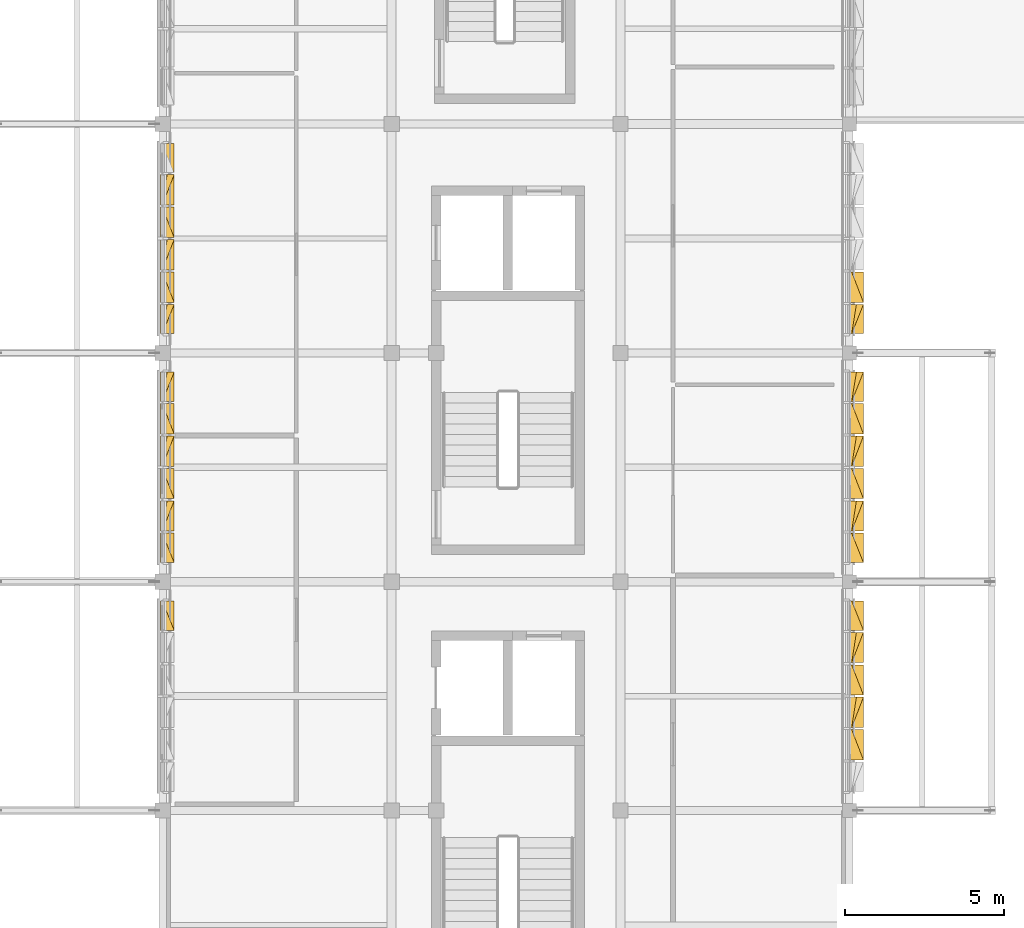
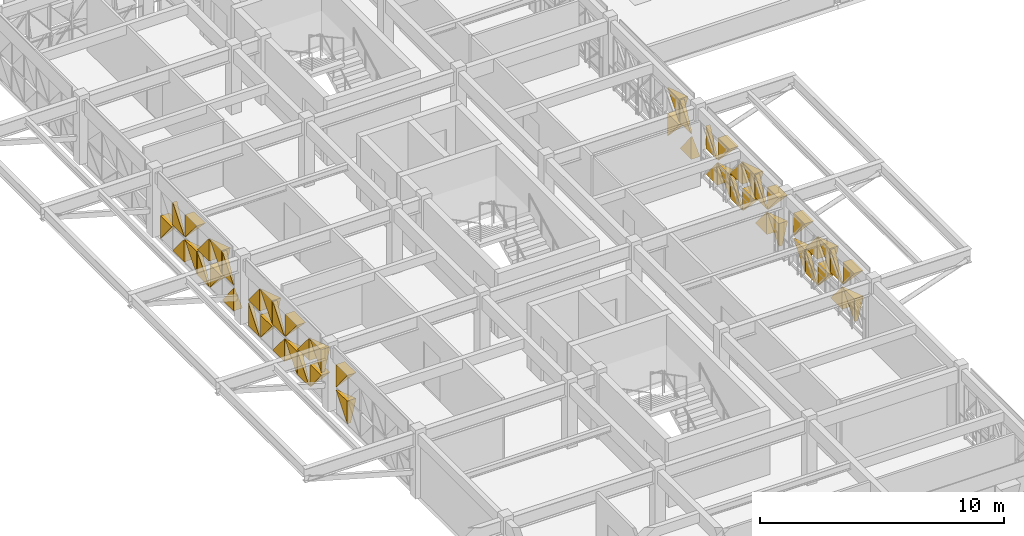
# One storey, part 28 of 30: 51 coverings.
"""IFC4 building model written with IfcOpenShell, lengths in metres."""

import ifcopenshell
import ifcopenshell.guid

model = None  # the IFC model being written
_history = None  # IfcOwnerHistory: only IFC2X3 demands one
_inside = {}  # id of a spatial element -> (the spatial element, [elements in it])
_under = {}  # id of a project, library or spatial element -> (it, [spatial elements below it])
_declared = {}  # id of a project -> (the project, [libraries it declares])
_typed = {}  # id of a type object -> (the type object, [elements of that type])
_made_of = {}  # id of a material, layer set ... -> (it, [elements and type objects made of it])


def new_model(schema):
    """Start an empty IFC model of exactly this schema.

    Asked for "IFC4X3", IfcOpenShell would pick the latest addendum, in which some entities
    have other attributes; the version numbers below select the first issue.
    IFC2X3 requires an IfcOwnerHistory on every rooted entity: one is made here for all.
    """
    global model, _history
    if schema == "IFC4X3":
        model = ifcopenshell.file(schema_version=(4, 3, 0, 0))
    else:
        model = ifcopenshell.file(schema=schema)
    _inside.clear()
    _under.clear()
    _declared.clear()
    _typed.clear()
    _made_of.clear()
    _history = None
    if model.schema == "IFC2X3":
        org = make("IfcOrganization", Name="unknown")
        user = make(
            "IfcPersonAndOrganization",
            ThePerson=make("IfcPerson", FamilyName="unknown"),
            TheOrganization=org,
        )
        app = make(
            "IfcApplication",
            ApplicationDeveloper=org,
            Version="unknown",
            ApplicationFullName="unknown",
            ApplicationIdentifier="unknown",
        )
        _history = make(
            "IfcOwnerHistory",
            OwningUser=user,
            OwningApplication=app,
            ChangeAction="ADDED",
            CreationDate=0,
        )
    return model


def make(cls, **values):
    """One entity of the class cls with the attributes given. An attribute that is None is left unset."""
    return model.create_entity(
        cls, **{name: value for name, value in values.items() if value is not None}
    )


def rooted(cls, **values):
    """An entity with a GlobalId (a new one), such as an element, a storey or a relation."""
    return make(cls, GlobalId=ifcopenshell.guid.new(), OwnerHistory=_history, **values)


def si_unit(unit_type, name, prefix=None):
    """IfcSIUnit, for example si_unit("LENGTHUNIT", "METRE", prefix="MILLI")."""
    return make("IfcSIUnit", UnitType=unit_type, Prefix=prefix, Name=name)


def assignment(units):
    """IfcUnitAssignment: the units of a project."""
    return None if units is None else make("IfcUnitAssignment", Units=units)


def point(xyz):
    """IfcCartesianPoint."""
    return None if xyz is None else make("IfcCartesianPoint", Coordinates=xyz)


def direction(xyz):
    """IfcDirection."""
    return None if xyz is None else make("IfcDirection", DirectionRatios=xyz)


def frame(location, z_axis=None, x_axis=None):
    """IfcAxis2Placement3D, a coordinate frame: its origin and axes. An axis left out is left unset."""
    return make(
        "IfcAxis2Placement3D",
        Location=point(location),
        Axis=direction(z_axis),
        RefDirection=direction(x_axis),
    )


def origin():
    """The frame at (0, 0, 0) with its axes left unset."""
    return frame((0.0, 0.0, 0.0))


def place(relative_to, where):
    """IfcLocalPlacement: puts the frame where relative to a parent placement (None: the world)."""
    return make(
        "IfcLocalPlacement", PlacementRelTo=relative_to, RelativePlacement=where
    )


def context(
    kind, dimensions, precision=None, world=None, true_north=None, identifier=None
):
    """IfcGeometricRepresentationContext, for example the 3D "Model" context."""
    return make(
        "IfcGeometricRepresentationContext",
        ContextIdentifier=identifier,
        ContextType=kind,
        CoordinateSpaceDimension=dimensions,
        Precision=precision,
        WorldCoordinateSystem=world,
        TrueNorth=true_north,
    )


def subcontext(parent, identifier, kind, view, scale=None):
    """IfcGeometricRepresentationSubContext, for example "Body" below "Model"."""
    return make(
        "IfcGeometricRepresentationSubContext",
        ContextIdentifier=identifier,
        ContextType=kind,
        ParentContext=parent,
        TargetScale=scale,
        TargetView=view,
    )


def project(units=None, contexts=None):
    """IfcProject with its units and contexts."""
    return rooted(
        "IfcProject",
        Name="project",
        RepresentationContexts=contexts,
        UnitsInContext=assignment(units),
    )


def spatial(cls, under=None, at=None, **own):
    """A site, building, storey or space (cls), placed at a placement, below another one or the project."""
    s = rooted(cls, ObjectPlacement=at, **own)
    if under is not None:
        _under.setdefault(under.id(), (under, []))[1].append(s)
    return s


def point_list(points):
    """IfcCartesianPointList2D or 3D."""
    cls = (
        "IfcCartesianPointList2D" if len(points[0]) == 2 else "IfcCartesianPointList3D"
    )
    return make(cls, CoordList=points)


def polygons(points, faces, closed=None, point_numbers=None):
    """IfcPolygonalFaceSet: a face is its outer loop, then its inner loops; points numbered from 1."""
    made = []
    for loops in faces:
        if len(loops) == 1:
            made.append(make("IfcIndexedPolygonalFace", CoordIndex=loops[0]))
        else:
            made.append(
                make(
                    "IfcIndexedPolygonalFaceWithVoids",
                    CoordIndex=loops[0],
                    InnerCoordIndices=loops[1:],
                )
            )
    return make(
        "IfcPolygonalFaceSet",
        Coordinates=point_list(points),
        Closed=closed,
        Faces=made,
        PnIndex=point_numbers,
    )


def shape(context_of_items, identifier, shape_type, items):
    """IfcShapeRepresentation: the items that make up one representation, for example the "Body"."""
    return make(
        "IfcShapeRepresentation",
        ContextOfItems=context_of_items,
        RepresentationIdentifier=identifier,
        RepresentationType=shape_type,
        Items=items,
    )


def material(Name=None, Category=None):
    """IfcMaterial."""
    return make("IfcMaterial", Name=Name, Category=Category)


def layer(
    of_material, thickness, ventilated=None, Name=None, Category=None, Priority=None
):
    """IfcMaterialLayer: one layer of a wall or slab, of a material (None: an air gap)."""
    return make(
        "IfcMaterialLayer",
        Material=of_material,
        LayerThickness=thickness,
        IsVentilated=ventilated,
        Name=Name,
        Category=Category,
        Priority=Priority,
    )


def layer_set(layers, Name=None):
    """IfcMaterialLayerSet."""
    return make("IfcMaterialLayerSet", MaterialLayers=layers, LayerSetName=Name)


def made_of(thing, what):
    """Note that an element or type object is made of a material, layer set ...; save() writes the relation."""
    if what is not None:
        _made_of.setdefault(what.id(), (what, []))[1].append(thing)
    return thing


def type_object(cls, material=None, **own):
    """A type object (cls), such as IfcWallType, which elements share."""
    return made_of(rooted(cls, **own), material)


def element(
    cls,
    number,
    at=None,
    inside=None,
    cuts=None,
    type_object=None,
    material=None,
    context=None,
    identifier="Body",
    shape_type=None,
    held_by="IfcProductDefinitionShape",
    body=None,
    shapes=None,
    **own,
):
    """One element of the class cls, such as IfcWall. Its Tag is "e" and its number.

    at: its placement. inside: the storey or other place that contains it. cuts: it is an
    opening in that element (IfcRelVoidsElement). A single representation is given by context,
    identifier, shape_type and body (its items); several are given by shapes. held_by: the class
    of the entity that holds the representations. save() writes the other relations.
    """
    e = rooted(cls, Tag="e%d" % number, ObjectPlacement=at, **own)
    if body is not None:
        shapes = [shape(context, identifier, shape_type, body)]
    if shapes is not None:
        e.Representation = make(held_by, Representations=shapes)
    if inside is not None:
        _inside.setdefault(inside.id(), (inside, []))[1].append(e)
    if cuts is not None:
        rooted(
            "IfcRelVoidsElement", RelatingBuildingElement=cuts, RelatedOpeningElement=e
        )
    if type_object is not None:
        _typed.setdefault(type_object.id(), (type_object, []))[1].append(e)
    return made_of(e, material)


def aggregate(whole, parts):
    """IfcRelAggregates: a whole, such as a stair, and the parts it consists of."""
    return rooted("IfcRelAggregates", RelatingObject=whole, RelatedObjects=parts)


def save(model, path):
    """Write the relations noted so far, then the file.

    IfcRelAggregates (storeys below a building ...), IfcRelContainedInSpatialStructure (elements
    in a storey), IfcRelDefinesByType, IfcRelAssociatesMaterial and IfcRelDeclares: one each for
    every whole, place, type object, material and project.
    """
    for whole, parts in _under.values():
        aggregate(whole, parts)
    for where, things in _inside.values():
        rooted(
            "IfcRelContainedInSpatialStructure",
            RelatedElements=things,
            RelatingStructure=where,
        )
    for kind, things in _typed.values():
        rooted("IfcRelDefinesByType", RelatedObjects=things, RelatingType=kind)
    for what, things in _made_of.values():
        rooted("IfcRelAssociatesMaterial", RelatedObjects=things, RelatingMaterial=what)
    for by, libraries in _declared.values():
        rooted("IfcRelDeclares", RelatingContext=by, RelatedDefinitions=libraries)
    model.write(path)


model = new_model("IFC4")

# Units and contexts
model_context = context("Model", 3, precision=1e-05, world=origin(), true_north=direction((0.0, 1.0)))
body_context = subcontext(model_context, "Body", "Model", "MODEL_VIEW")
ifc_project = project(units=[si_unit("LENGTHUNIT", "METRE"), si_unit("AREAUNIT", "SQUARE_METRE"), si_unit("VOLUMEUNIT", "CUBIC_METRE"), si_unit("PLANEANGLEUNIT", "RADIAN"), si_unit("MASSUNIT", "GRAM", prefix="KILO")], contexts=[model_context])

# Site, building, storey
site_placement = place(None, origin())
site = spatial("IfcSite", under=ifc_project, at=site_placement, CompositionType="ELEMENT")
building_placement = place(site_placement, origin())
building = spatial("IfcBuilding", under=site, at=building_placement, Name="Alvorim Cloister Faculty of Sciences", CompositionType="ELEMENT")
storey_placement = place(building_placement, frame((0.0, 0.0, 26.25)))
storey = spatial("IfcBuildingStorey", under=building, at=storey_placement, Name="L07", CompositionType="ELEMENT", Elevation=26.25)

# Coverings
ifc_material = material(Name="Perforated Bronze Alloy Sheet", Category="metal")
ifc_layer = layer(ifc_material, 0.0380859375)
ifc_layer_set = layer_set([ifc_layer], Name="Perforated Bronze Alloy Sheet")
covering_type = type_object("IfcCoveringType", Name="COV-TRI-BRZ", PredefinedType="CLADDING", material=ifc_layer_set)
covering_1_placement = place(storey_placement, frame((7.155029296875, 27.2724609375, 0.139892578125), z_axis=(0.0, 0.0, 1.0), x_axis=(0.0, 1.0, 0.0)))
element("IfcCovering", 1, at=covering_1_placement, inside=storey, type_object=covering_type, Name="Diagonal Solid Metal Triangle TRI-TL", PredefinedType="CLADDING", context=body_context, shape_type="Tessellation", body=[
    polygons([(0.920607421875, 0.0260009765625, 1.14013671875), (0.0, 0.0260009765625, 1.14013671875), (0.0, 0.0260009765625, 0.002), (0.920607421875, -0.03, 1.14013671875), (0.0, -0.4, 1.14013671875), (0.0, -0.13999999999999999, 0.002)], [[[1, 3, 2]], [[4, 5, 6]], [[1, 2, 5, 4]], [[2, 3, 6, 5]], [[3, 1, 4, 6]]], closed=True),
])
for number, where, z_axis, x_axis, name in (
    (2, (7.155029296875, 27.2724609375, 1.419921875), (0.0, 0.0, 1.0), (0.0, 1.0, 0.0), "Diagonal Solid Metal Triangle TRI-TR"),
    (3, (7.155029296875, 29.405029296875, 0.139892578125), (0.0, 0.0, 1.0), (0.0, 1.0, 0.0), "Diagonal Solid Metal Triangle TRI-TR"),
):
    element("IfcCovering", number, at=place(storey_placement, frame(where, z_axis=z_axis, x_axis=x_axis)), inside=storey, type_object=covering_type, Name=name, PredefinedType="CLADDING", context=body_context, shape_type="Tessellation", body=[
        polygons([(0.922607421875, 0.0260009765625, 0.002), (0.922607421875, 0.0260009765625, 1.14013671875), (0.002, 0.0260009765625, 1.14013671875), (0.922607421875, -0.03, 0.002), (0.922607421875, -0.4, 1.14013671875), (0.002, -0.4, 1.14013671875)], [[[1, 3, 2]], [[4, 5, 6]], [[1, 2, 5, 4]], [[2, 3, 6, 5]], [[3, 1, 4, 6]]], closed=True),
    ])
covering_2_placement = place(storey_placement, frame((7.155029296875, 29.405029296875, 1.419921875), z_axis=(0.0, 0.0, 1.0), x_axis=(0.0, 1.0, 0.0)))
element("IfcCovering", 4, at=covering_2_placement, inside=storey, type_object=covering_type, Name="Diagonal Solid Metal Triangle TRI-TL", PredefinedType="CLADDING", context=body_context, shape_type="Tessellation", body=[
    polygons([(0.920607421875, 0.0260009765625, 1.14013671875), (0.0, 0.0260009765625, 1.14013671875), (0.0, 0.0260009765625, 0.002), (0.920607421875, -0.03, 1.14013671875), (0.0, -0.4, 1.14013671875), (0.0, -0.13999999999999999, 0.002)], [[[1, 3, 2]], [[4, 5, 6]], [[1, 2, 5, 4]], [[2, 3, 6, 5]], [[3, 1, 4, 6]]], closed=True),
])
covering_3_placement = place(storey_placement, frame((7.155029296875, 30.392578125, 0.139892578125), z_axis=(0.0, 0.0, 1.0), x_axis=(0.0, 1.0, 0.0)))
element("IfcCovering", 5, at=covering_3_placement, inside=storey, type_object=covering_type, Name="Diagonal Solid Metal Triangle TRI-BR", PredefinedType="CLADDING", context=body_context, shape_type="Tessellation", body=[
    polygons([(0.002, 0.0260009765625, 0.0), (0.955078125, 0.0260009765625, 0.0), (0.955078125, 0.0260009765625, 1.13813671875), (0.002, -0.03, 0.0), (0.955078125, -0.4, 0.0), (0.955078125, -0.18000000000000002, 1.13813671875)], [[[1, 3, 2]], [[4, 5, 6]], [[1, 2, 5, 4]], [[2, 3, 6, 5]], [[3, 1, 4, 6]]], closed=True),
])
covering_4_placement = place(storey_placement, frame((7.155029296875, 30.392578125, 1.419921875), z_axis=(0.0, 0.0, 1.0), x_axis=(0.0, 1.0, 0.0)))
element("IfcCovering", 6, at=covering_4_placement, inside=storey, type_object=covering_type, Name="Diagonal Solid Metal Triangle TRI-BL", PredefinedType="CLADDING", context=body_context, shape_type="Tessellation", body=[
    polygons([(0.0, 0.0260009765625, 0.0), (0.953078125, 0.0260009765625, 0.0), (0.0, 0.0260009765625, 1.13813671875), (0.0, -0.4, 0.0), (0.953078125, -0.4, 0.0), (0.0, -0.03, 1.13813671875)], [[[1, 3, 2]], [[4, 5, 6]], [[1, 2, 5, 4]], [[2, 3, 6, 5]], [[3, 1, 4, 6]]], closed=True),
])
covering_5_placement = place(storey_placement, frame((7.155029296875, 31.41259765625, 0.139892578125), z_axis=(0.0, 0.0, 1.0), x_axis=(0.0, 1.0, 0.0)))
element("IfcCovering", 7, at=covering_5_placement, inside=storey, type_object=covering_type, Name="Diagonal Solid Metal Triangle TRI-TL", PredefinedType="CLADDING", context=body_context, shape_type="Tessellation", body=[
    polygons([(0.953078125, 0.0260009765625, 1.14013671875), (0.0, 0.0260009765625, 1.14013671875), (0.0, 0.0260009765625, 0.002), (0.953078125, -0.03, 1.14013671875), (0.0, -0.4, 1.14013671875), (0.0, -0.13999999999999999, 0.002)], [[[1, 3, 2]], [[4, 5, 6]], [[1, 2, 5, 4]], [[2, 3, 6, 5]], [[3, 1, 4, 6]]], closed=True),
])
covering_6_placement = place(storey_placement, frame((7.155029296875, 31.41259765625, 1.419921875), z_axis=(0.0, 0.0, 1.0), x_axis=(0.0, 1.0, 0.0)))
element("IfcCovering", 8, at=covering_6_placement, inside=storey, type_object=covering_type, Name="Diagonal Solid Metal Triangle TRI-TR", PredefinedType="CLADDING", context=body_context, shape_type="Tessellation", body=[
    polygons([(0.955078125, 0.0260009765625, 0.002), (0.955078125, 0.0260009765625, 1.14013671875), (0.002, 0.0260009765625, 1.14013671875), (0.955078125, -0.03, 0.002), (0.955078125, -0.4, 1.14013671875), (0.002, -0.4, 1.14013671875)], [[[1, 3, 2]], [[4, 5, 6]], [[1, 2, 5, 4]], [[2, 3, 6, 5]], [[3, 1, 4, 6]]], closed=True),
])
covering_7_placement = place(storey_placement, frame((7.155029296875, 32.4326171875, 0.139892578125), z_axis=(0.0, 0.0, 1.0), x_axis=(0.0, 1.0, 0.0)))
element("IfcCovering", 9, at=covering_7_placement, inside=storey, type_object=covering_type, Name="Diagonal Solid Metal Triangle TRI-BL", PredefinedType="CLADDING", context=body_context, shape_type="Tessellation", body=[
    polygons([(0.0, 0.0260009765625, 0.0), (0.953078125, 0.0260009765625, 0.0), (0.0, 0.0260009765625, 1.13813671875), (0.0, -0.4, 0.0), (0.953078125, -0.4, 0.0), (0.0, -0.03, 1.13813671875)], [[[1, 3, 2]], [[4, 5, 6]], [[1, 2, 5, 4]], [[2, 3, 6, 5]], [[3, 1, 4, 6]]], closed=True),
])
covering_8_placement = place(storey_placement, frame((7.155029296875, 32.4326171875, 1.419921875), z_axis=(0.0, 0.0, 1.0), x_axis=(0.0, 1.0, 0.0)))
element("IfcCovering", 10, at=covering_8_placement, inside=storey, type_object=covering_type, Name="Diagonal Solid Metal Triangle TRI-BR", PredefinedType="CLADDING", context=body_context, shape_type="Tessellation", body=[
    polygons([(0.002, 0.0260009765625, 0.0), (0.955078125, 0.0260009765625, 0.0), (0.955078125, 0.0260009765625, 1.13813671875), (0.002, -0.03, 0.0), (0.955078125, -0.4, 0.0), (0.955078125, -0.18000000000000002, 1.13813671875)], [[[1, 3, 2]], [[4, 5, 6]], [[1, 2, 5, 4]], [[2, 3, 6, 5]], [[3, 1, 4, 6]]], closed=True),
])
covering_9_placement = place(storey_placement, frame((7.155029296875, 33.452392578125, 0.139892578125), z_axis=(0.0, 0.0, 1.0), x_axis=(0.0, 1.0, 0.0)))
element("IfcCovering", 11, at=covering_9_placement, inside=storey, type_object=covering_type, Name="Diagonal Solid Metal Triangle TRI-TR", PredefinedType="CLADDING", context=body_context, shape_type="Tessellation", body=[
    polygons([(0.955078125, 0.0260009765625, 0.002), (0.955078125, 0.0260009765625, 1.14013671875), (0.002, 0.0260009765625, 1.14013671875), (0.955078125, -0.03, 0.002), (0.955078125, -0.4, 1.14013671875), (0.002, -0.4, 1.14013671875)], [[[1, 3, 2]], [[4, 5, 6]], [[1, 2, 5, 4]], [[2, 3, 6, 5]], [[3, 1, 4, 6]]], closed=True),
])
covering_10_placement = place(storey_placement, frame((7.155029296875, 33.452392578125, 1.419921875), z_axis=(0.0, 0.0, 1.0), x_axis=(0.0, 1.0, 0.0)))
element("IfcCovering", 12, at=covering_10_placement, inside=storey, type_object=covering_type, Name="Diagonal Solid Metal Triangle TRI-TL", PredefinedType="CLADDING", context=body_context, shape_type="Tessellation", body=[
    polygons([(0.953078125, 0.0260009765625, 1.14013671875), (0.0, 0.0260009765625, 1.14013671875), (0.0, 0.0260009765625, 0.002), (0.953078125, -0.03, 1.14013671875), (0.0, -0.4, 1.14013671875), (0.0, -0.13999999999999999, 0.002)], [[[1, 3, 2]], [[4, 5, 6]], [[1, 2, 5, 4]], [[2, 3, 6, 5]], [[3, 1, 4, 6]]], closed=True),
])
covering_11_placement = place(storey_placement, frame((7.155029296875, 34.472412109375, 0.139892578125), z_axis=(0.0, 0.0, 1.0), x_axis=(0.0, 1.0, 0.0)))
element("IfcCovering", 13, at=covering_11_placement, inside=storey, type_object=covering_type, Name="Diagonal Solid Metal Triangle TRI-BR", PredefinedType="CLADDING", context=body_context, shape_type="Tessellation", body=[
    polygons([(0.002, 0.0260009765625, 0.0), (0.922607421875, 0.0260009765625, 0.0), (0.922607421875, 0.0260009765625, 1.13813671875), (0.002, -0.03, 0.0), (0.922607421875, -0.4, 0.0), (0.922607421875, -0.18000000000000002, 1.13813671875)], [[[1, 3, 2]], [[4, 5, 6]], [[1, 2, 5, 4]], [[2, 3, 6, 5]], [[3, 1, 4, 6]]], closed=True),
])
for number, where, z_axis, x_axis, name in (
    (14, (7.155029296875, 34.472412109375, 1.419921875), (0.0, 0.0, 1.0), (0.0, 1.0, 0.0), "Diagonal Solid Metal Triangle TRI-BL"),
    (15, (7.155029296875, 36.60498046875, 0.139892578125), (0.0, 0.0, 1.0), (0.0, 1.0, 0.0), "Diagonal Solid Metal Triangle TRI-BL"),
):
    element("IfcCovering", number, at=place(storey_placement, frame(where, z_axis=z_axis, x_axis=x_axis)), inside=storey, type_object=covering_type, Name=name, PredefinedType="CLADDING", context=body_context, shape_type="Tessellation", body=[
        polygons([(0.0, 0.0260009765625, 0.0), (0.920607421875, 0.0260009765625, 0.0), (0.0, 0.0260009765625, 1.13813671875), (0.0, -0.4, 0.0), (0.920607421875, -0.4, 0.0), (0.0, -0.03, 1.13813671875)], [[[1, 3, 2]], [[4, 5, 6]], [[1, 2, 5, 4]], [[2, 3, 6, 5]], [[3, 1, 4, 6]]], closed=True),
    ])
covering_12_placement = place(storey_placement, frame((7.155029296875, 36.60498046875, 1.419921875), z_axis=(0.0, 0.0, 1.0), x_axis=(0.0, 1.0, 0.0)))
element("IfcCovering", 16, at=covering_12_placement, inside=storey, type_object=covering_type, Name="Diagonal Solid Metal Triangle TRI-BR", PredefinedType="CLADDING", context=body_context, shape_type="Tessellation", body=[
    polygons([(0.002, 0.0260009765625, 0.0), (0.922607421875, 0.0260009765625, 0.0), (0.922607421875, 0.0260009765625, 1.13813671875), (0.002, -0.03, 0.0), (0.922607421875, -0.4, 0.0), (0.922607421875, -0.18000000000000002, 1.13813671875)], [[[1, 3, 2]], [[4, 5, 6]], [[1, 2, 5, 4]], [[2, 3, 6, 5]], [[3, 1, 4, 6]]], closed=True),
])
covering_13_placement = place(storey_placement, frame((7.155029296875, 37.592529296875, 0.139892578125), z_axis=(0.0, 0.0, 1.0), x_axis=(0.0, 1.0, 0.0)))
element("IfcCovering", 17, at=covering_13_placement, inside=storey, type_object=covering_type, Name="Diagonal Solid Metal Triangle TRI-TR", PredefinedType="CLADDING", context=body_context, shape_type="Tessellation", body=[
    polygons([(0.955078125, 0.0260009765625, 0.002), (0.955078125, 0.0260009765625, 1.14013671875), (0.002, 0.0260009765625, 1.14013671875), (0.955078125, -0.03, 0.002), (0.955078125, -0.4, 1.14013671875), (0.002, -0.4, 1.14013671875)], [[[1, 3, 2]], [[4, 5, 6]], [[1, 2, 5, 4]], [[2, 3, 6, 5]], [[3, 1, 4, 6]]], closed=True),
])
covering_14_placement = place(storey_placement, frame((7.155029296875, 37.592529296875, 1.419921875), z_axis=(0.0, 0.0, 1.0), x_axis=(0.0, 1.0, 0.0)))
element("IfcCovering", 18, at=covering_14_placement, inside=storey, type_object=covering_type, Name="Diagonal Solid Metal Triangle TRI-TL", PredefinedType="CLADDING", context=body_context, shape_type="Tessellation", body=[
    polygons([(0.953078125, 0.0260009765625, 1.14013671875), (0.0, 0.0260009765625, 1.14013671875), (0.0, 0.0260009765625, 0.002), (0.953078125, -0.03, 1.14013671875), (0.0, -0.4, 1.14013671875), (0.0, -0.13999999999999999, 0.002)], [[[1, 3, 2]], [[4, 5, 6]], [[1, 2, 5, 4]], [[2, 3, 6, 5]], [[3, 1, 4, 6]]], closed=True),
])
covering_15_placement = place(storey_placement, frame((7.155029296875, 38.612548828125, 0.139892578125), z_axis=(0.0, 0.0, 1.0), x_axis=(0.0, 1.0, 0.0)))
element("IfcCovering", 19, at=covering_15_placement, inside=storey, type_object=covering_type, Name="Diagonal Solid Metal Triangle TRI-BR", PredefinedType="CLADDING", context=body_context, shape_type="Tessellation", body=[
    polygons([(0.002, 0.0260009765625, 0.0), (0.955078125, 0.0260009765625, 0.0), (0.955078125, 0.0260009765625, 1.13813671875), (0.002, -0.03, 0.0), (0.955078125, -0.4, 0.0), (0.955078125, -0.18000000000000002, 1.13813671875)], [[[1, 3, 2]], [[4, 5, 6]], [[1, 2, 5, 4]], [[2, 3, 6, 5]], [[3, 1, 4, 6]]], closed=True),
])
covering_16_placement = place(storey_placement, frame((7.155029296875, 38.612548828125, 1.419921875), z_axis=(0.0, 0.0, 1.0), x_axis=(0.0, 1.0, 0.0)))
element("IfcCovering", 20, at=covering_16_placement, inside=storey, type_object=covering_type, Name="Diagonal Solid Metal Triangle TRI-BL", PredefinedType="CLADDING", context=body_context, shape_type="Tessellation", body=[
    polygons([(0.0, 0.0260009765625, 0.0), (0.953078125, 0.0260009765625, 0.0), (0.0, 0.0260009765625, 1.13813671875), (0.0, -0.4, 0.0), (0.953078125, -0.4, 0.0), (0.0, -0.03, 1.13813671875)], [[[1, 3, 2]], [[4, 5, 6]], [[1, 2, 5, 4]], [[2, 3, 6, 5]], [[3, 1, 4, 6]]], closed=True),
])
covering_17_placement = place(storey_placement, frame((7.155029296875, 39.632568359375, 0.139892578125), z_axis=(0.0, 0.0, 1.0), x_axis=(0.0, 1.0, 0.0)))
element("IfcCovering", 21, at=covering_17_placement, inside=storey, type_object=covering_type, Name="Diagonal Solid Metal Triangle TRI-TL", PredefinedType="CLADDING", context=body_context, shape_type="Tessellation", body=[
    polygons([(0.953078125, 0.0260009765625, 1.14013671875), (0.0, 0.0260009765625, 1.14013671875), (0.0, 0.0260009765625, 0.002), (0.953078125, -0.03, 1.14013671875), (0.0, -0.4, 1.14013671875), (0.0, -0.13999999999999999, 0.002)], [[[1, 3, 2]], [[4, 5, 6]], [[1, 2, 5, 4]], [[2, 3, 6, 5]], [[3, 1, 4, 6]]], closed=True),
])
covering_18_placement = place(storey_placement, frame((7.155029296875, 39.632568359375, 1.419921875), z_axis=(0.0, 0.0, 1.0), x_axis=(0.0, 1.0, 0.0)))
element("IfcCovering", 22, at=covering_18_placement, inside=storey, type_object=covering_type, Name="Diagonal Solid Metal Triangle TRI-TR", PredefinedType="CLADDING", context=body_context, shape_type="Tessellation", body=[
    polygons([(0.955078125, 0.0260009765625, 0.002), (0.955078125, 0.0260009765625, 1.14013671875), (0.002, 0.0260009765625, 1.14013671875), (0.955078125, -0.03, 0.002), (0.955078125, -0.4, 1.14013671875), (0.002, -0.4, 1.14013671875)], [[[1, 3, 2]], [[4, 5, 6]], [[1, 2, 5, 4]], [[2, 3, 6, 5]], [[3, 1, 4, 6]]], closed=True),
])
covering_19_placement = place(storey_placement, frame((7.155029296875, 40.652587890625, 0.139892578125), z_axis=(0.0, 0.0, 1.0), x_axis=(0.0, 1.0, 0.0)))
element("IfcCovering", 23, at=covering_19_placement, inside=storey, type_object=covering_type, Name="Diagonal Solid Metal Triangle TRI-BL", PredefinedType="CLADDING", context=body_context, shape_type="Tessellation", body=[
    polygons([(0.0, 0.0260009765625, 0.0), (0.953078125, 0.0260009765625, 0.0), (0.0, 0.0260009765625, 1.13813671875), (0.0, -0.4, 0.0), (0.953078125, -0.4, 0.0), (0.0, -0.03, 1.13813671875)], [[[1, 3, 2]], [[4, 5, 6]], [[1, 2, 5, 4]], [[2, 3, 6, 5]], [[3, 1, 4, 6]]], closed=True),
])
covering_20_placement = place(storey_placement, frame((7.155029296875, 40.652587890625, 1.419921875), z_axis=(0.0, 0.0, 1.0), x_axis=(0.0, 1.0, 0.0)))
element("IfcCovering", 24, at=covering_20_placement, inside=storey, type_object=covering_type, Name="Diagonal Solid Metal Triangle TRI-BR", PredefinedType="CLADDING", context=body_context, shape_type="Tessellation", body=[
    polygons([(0.002, 0.0260009765625, 0.0), (0.955078125, 0.0260009765625, 0.0), (0.955078125, 0.0260009765625, 1.13813671875), (0.002, -0.03, 0.0), (0.955078125, -0.4, 0.0), (0.955078125, -0.18000000000000002, 1.13813671875)], [[[1, 3, 2]], [[4, 5, 6]], [[1, 2, 5, 4]], [[2, 3, 6, 5]], [[3, 1, 4, 6]]], closed=True),
])
covering_21_placement = place(storey_placement, frame((7.155029296875, 41.672607421875, 0.139892578125), z_axis=(0.0, 0.0, 1.0), x_axis=(0.0, 1.0, 0.0)))
element("IfcCovering", 25, at=covering_21_placement, inside=storey, type_object=covering_type, Name="Diagonal Solid Metal Triangle TRI-TR", PredefinedType="CLADDING", context=body_context, shape_type="Tessellation", body=[
    polygons([(0.922607421875, 0.0260009765625, 0.002), (0.922607421875, 0.0260009765625, 1.14013671875), (0.002, 0.0260009765625, 1.14013671875), (0.922607421875, -0.03, 0.002), (0.922607421875, -0.4, 1.14013671875), (0.002, -0.4, 1.14013671875)], [[[1, 3, 2]], [[4, 5, 6]], [[1, 2, 5, 4]], [[2, 3, 6, 5]], [[3, 1, 4, 6]]], closed=True),
])
covering_22_placement = place(storey_placement, frame((28.844970703125, 36.60498046875, 0.139892578125), z_axis=(0.0, 0.0, 1.0), x_axis=(0.0, 1.0, 0.0)))
element("IfcCovering", 26, at=covering_22_placement, inside=storey, type_object=covering_type, Name="Diagonal Solid Metal Triangle TRI-BL", PredefinedType="CLADDING", context=body_context, shape_type="Tessellation", body=[
    polygons([(0.0, 0.0260009765625, 0.0), (0.920607421875, 0.0260009765625, 0.0), (0.0, 0.0260009765625, 1.13813671875), (0.0, -0.4, 0.0), (0.920607421875, -0.4, 0.0), (0.0, -0.03, 1.13813671875)], [[[1, 3, 2]], [[4, 5, 6]], [[1, 2, 5, 4]], [[2, 3, 6, 5]], [[3, 1, 4, 6]]], closed=True),
])
covering_23_placement = place(storey_placement, frame((28.844970703125, 36.60498046875, 1.419921875), z_axis=(0.0, 0.0, 1.0), x_axis=(0.0, 1.0, 0.0)))
element("IfcCovering", 27, at=covering_23_placement, inside=storey, type_object=covering_type, Name="Diagonal Solid Metal Triangle TRI-BR", PredefinedType="CLADDING", context=body_context, shape_type="Tessellation", body=[
    polygons([(0.002, 0.0260009765625, 0.0), (0.922607421875, 0.0260009765625, 0.0), (0.922607421875, 0.0260009765625, 1.13813671875), (0.002, -0.03, 0.0), (0.922607421875, -0.4, 0.0), (0.922607421875, -0.18000000000000002, 1.13813671875)], [[[1, 3, 2]], [[4, 5, 6]], [[1, 2, 5, 4]], [[2, 3, 6, 5]], [[3, 1, 4, 6]]], closed=True),
])
covering_24_placement = place(storey_placement, frame((28.844970703125, 37.592529296875, 0.139892578125), z_axis=(0.0, 0.0, 1.0), x_axis=(0.0, 1.0, 0.0)))
element("IfcCovering", 28, at=covering_24_placement, inside=storey, type_object=covering_type, Name="Diagonal Solid Metal Triangle TRI-TR", PredefinedType="CLADDING", context=body_context, shape_type="Tessellation", body=[
    polygons([(0.955078125, 0.0260009765625, 0.002), (0.955078125, 0.0260009765625, 1.14013671875), (0.002, 0.0260009765625, 1.14013671875), (0.955078125, -0.03, 0.002), (0.955078125, -0.4, 1.14013671875), (0.002, -0.4, 1.14013671875)], [[[1, 3, 2]], [[4, 5, 6]], [[1, 2, 5, 4]], [[2, 3, 6, 5]], [[3, 1, 4, 6]]], closed=True),
])
covering_25_placement = place(storey_placement, frame((28.844970703125, 37.592529296875, 1.419921875), z_axis=(0.0, 0.0, 1.0), x_axis=(0.0, 1.0, 0.0)))
element("IfcCovering", 29, at=covering_25_placement, inside=storey, type_object=covering_type, Name="Diagonal Solid Metal Triangle TRI-TL", PredefinedType="CLADDING", context=body_context, shape_type="Tessellation", body=[
    polygons([(0.953078125, 0.0260009765625, 1.14013671875), (0.0, 0.0260009765625, 1.14013671875), (0.0, 0.0260009765625, 0.002), (0.953078125, -0.03, 1.14013671875), (0.0, -0.4, 1.14013671875), (0.0, -0.13999999999999999, 0.002)], [[[1, 3, 2]], [[4, 5, 6]], [[1, 2, 5, 4]], [[2, 3, 6, 5]], [[3, 1, 4, 6]]], closed=True),
])
covering_26_placement = place(storey_placement, frame((28.844970703125, 29.405029296875, 0.139892578125), z_axis=(0.0, 0.0, 1.0), x_axis=(0.0, 1.0, 0.0)))
element("IfcCovering", 30, at=covering_26_placement, inside=storey, type_object=covering_type, Name="Diagonal Solid Metal Triangle TRI-TL", PredefinedType="CLADDING", context=body_context, shape_type="Tessellation", body=[
    polygons([(0.920607421875, 0.0260009765625, 1.14013671875), (0.0, 0.0260009765625, 1.14013671875), (0.0, 0.0260009765625, 0.002), (0.920607421875, -0.03, 1.14013671875), (0.0, -0.4, 1.14013671875), (0.0, -0.13999999999999999, 0.002)], [[[1, 3, 2]], [[4, 5, 6]], [[1, 2, 5, 4]], [[2, 3, 6, 5]], [[3, 1, 4, 6]]], closed=True),
])
covering_27_placement = place(storey_placement, frame((28.844970703125, 29.405029296875, 1.419921875), z_axis=(0.0, 0.0, 1.0), x_axis=(0.0, 1.0, 0.0)))
element("IfcCovering", 31, at=covering_27_placement, inside=storey, type_object=covering_type, Name="Diagonal Solid Metal Triangle TRI-TR", PredefinedType="CLADDING", context=body_context, shape_type="Tessellation", body=[
    polygons([(0.922607421875, 0.0260009765625, 0.002), (0.922607421875, 0.0260009765625, 1.14013671875), (0.002, 0.0260009765625, 1.14013671875), (0.922607421875, -0.03, 0.002), (0.922607421875, -0.4, 1.14013671875), (0.002, -0.4, 1.14013671875)], [[[1, 3, 2]], [[4, 5, 6]], [[1, 2, 5, 4]], [[2, 3, 6, 5]], [[3, 1, 4, 6]]], closed=True),
])
covering_28_placement = place(storey_placement, frame((28.844970703125, 30.392578125, 0.139892578125), z_axis=(0.0, 0.0, 1.0), x_axis=(0.0, 1.0, 0.0)))
element("IfcCovering", 32, at=covering_28_placement, inside=storey, type_object=covering_type, Name="Diagonal Solid Metal Triangle TRI-BL", PredefinedType="CLADDING", context=body_context, shape_type="Tessellation", body=[
    polygons([(0.0, 0.0260009765625, 0.0), (0.953078125, 0.0260009765625, 0.0), (0.0, 0.0260009765625, 1.13813671875), (0.0, -0.4, 0.0), (0.953078125, -0.4, 0.0), (0.0, -0.03, 1.13813671875)], [[[1, 3, 2]], [[4, 5, 6]], [[1, 2, 5, 4]], [[2, 3, 6, 5]], [[3, 1, 4, 6]]], closed=True),
])
covering_29_placement = place(storey_placement, frame((28.844970703125, 30.392578125, 1.419921875), z_axis=(0.0, 0.0, 1.0), x_axis=(0.0, 1.0, 0.0)))
element("IfcCovering", 33, at=covering_29_placement, inside=storey, type_object=covering_type, Name="Diagonal Solid Metal Triangle TRI-BR", PredefinedType="CLADDING", context=body_context, shape_type="Tessellation", body=[
    polygons([(0.002, 0.0260009765625, 0.0), (0.955078125, 0.0260009765625, 0.0), (0.955078125, 0.0260009765625, 1.13813671875), (0.002, -0.03, 0.0), (0.955078125, -0.4, 0.0), (0.955078125, -0.18000000000000002, 1.13813671875)], [[[1, 3, 2]], [[4, 5, 6]], [[1, 2, 5, 4]], [[2, 3, 6, 5]], [[3, 1, 4, 6]]], closed=True),
])
covering_30_placement = place(storey_placement, frame((28.844970703125, 31.41259765625, 0.139892578125), z_axis=(0.0, 0.0, 1.0), x_axis=(0.0, 1.0, 0.0)))
element("IfcCovering", 34, at=covering_30_placement, inside=storey, type_object=covering_type, Name="Diagonal Solid Metal Triangle TRI-TR", PredefinedType="CLADDING", context=body_context, shape_type="Tessellation", body=[
    polygons([(0.955078125, 0.0260009765625, 0.002), (0.955078125, 0.0260009765625, 1.14013671875), (0.002, 0.0260009765625, 1.14013671875), (0.955078125, -0.03, 0.002), (0.955078125, -0.4, 1.14013671875), (0.002, -0.4, 1.14013671875)], [[[1, 3, 2]], [[4, 5, 6]], [[1, 2, 5, 4]], [[2, 3, 6, 5]], [[3, 1, 4, 6]]], closed=True),
])
covering_31_placement = place(storey_placement, frame((28.844970703125, 31.41259765625, 1.419921875), z_axis=(0.0, 0.0, 1.0), x_axis=(0.0, 1.0, 0.0)))
element("IfcCovering", 35, at=covering_31_placement, inside=storey, type_object=covering_type, Name="Diagonal Solid Metal Triangle TRI-TL", PredefinedType="CLADDING", context=body_context, shape_type="Tessellation", body=[
    polygons([(0.953078125, 0.0260009765625, 1.14013671875), (0.0, 0.0260009765625, 1.14013671875), (0.0, 0.0260009765625, 0.002), (0.953078125, -0.03, 1.14013671875), (0.0, -0.4, 1.14013671875), (0.0, -0.13999999999999999, 0.002)], [[[1, 3, 2]], [[4, 5, 6]], [[1, 2, 5, 4]], [[2, 3, 6, 5]], [[3, 1, 4, 6]]], closed=True),
])
covering_32_placement = place(storey_placement, frame((28.844970703125, 32.4326171875, 0.139892578125), z_axis=(0.0, 0.0, 1.0), x_axis=(0.0, 1.0, 0.0)))
element("IfcCovering", 36, at=covering_32_placement, inside=storey, type_object=covering_type, Name="Diagonal Solid Metal Triangle TRI-BR", PredefinedType="CLADDING", context=body_context, shape_type="Tessellation", body=[
    polygons([(0.002, 0.0260009765625, 0.0), (0.955078125, 0.0260009765625, 0.0), (0.955078125, 0.0260009765625, 1.13813671875), (0.002, -0.03, 0.0), (0.955078125, -0.4, 0.0), (0.955078125, -0.18000000000000002, 1.13813671875)], [[[1, 3, 2]], [[4, 5, 6]], [[1, 2, 5, 4]], [[2, 3, 6, 5]], [[3, 1, 4, 6]]], closed=True),
])
covering_33_placement = place(storey_placement, frame((28.844970703125, 32.4326171875, 1.419921875), z_axis=(0.0, 0.0, 1.0), x_axis=(0.0, 1.0, 0.0)))
element("IfcCovering", 37, at=covering_33_placement, inside=storey, type_object=covering_type, Name="Diagonal Solid Metal Triangle TRI-BL", PredefinedType="CLADDING", context=body_context, shape_type="Tessellation", body=[
    polygons([(0.0, 0.0260009765625, 0.0), (0.953078125, 0.0260009765625, 0.0), (0.0, 0.0260009765625, 1.13813671875), (0.0, -0.4, 0.0), (0.953078125, -0.4, 0.0), (0.0, -0.03, 1.13813671875)], [[[1, 3, 2]], [[4, 5, 6]], [[1, 2, 5, 4]], [[2, 3, 6, 5]], [[3, 1, 4, 6]]], closed=True),
])
covering_34_placement = place(storey_placement, frame((28.844970703125, 33.452392578125, 0.139892578125), z_axis=(0.0, 0.0, 1.0), x_axis=(0.0, 1.0, 0.0)))
element("IfcCovering", 38, at=covering_34_placement, inside=storey, type_object=covering_type, Name="Diagonal Solid Metal Triangle TRI-TL", PredefinedType="CLADDING", context=body_context, shape_type="Tessellation", body=[
    polygons([(0.953078125, 0.0260009765625, 1.14013671875), (0.0, 0.0260009765625, 1.14013671875), (0.0, 0.0260009765625, 0.002), (0.953078125, -0.03, 1.14013671875), (0.0, -0.4, 1.14013671875), (0.0, -0.13999999999999999, 0.002)], [[[1, 3, 2]], [[4, 5, 6]], [[1, 2, 5, 4]], [[2, 3, 6, 5]], [[3, 1, 4, 6]]], closed=True),
])
covering_35_placement = place(storey_placement, frame((28.844970703125, 33.452392578125, 1.419921875), z_axis=(0.0, 0.0, 1.0), x_axis=(0.0, 1.0, 0.0)))
element("IfcCovering", 39, at=covering_35_placement, inside=storey, type_object=covering_type, Name="Diagonal Solid Metal Triangle TRI-TR", PredefinedType="CLADDING", context=body_context, shape_type="Tessellation", body=[
    polygons([(0.955078125, 0.0260009765625, 0.002), (0.955078125, 0.0260009765625, 1.14013671875), (0.002, 0.0260009765625, 1.14013671875), (0.955078125, -0.03, 0.002), (0.955078125, -0.4, 1.14013671875), (0.002, -0.4, 1.14013671875)], [[[1, 3, 2]], [[4, 5, 6]], [[1, 2, 5, 4]], [[2, 3, 6, 5]], [[3, 1, 4, 6]]], closed=True),
])
covering_36_placement = place(storey_placement, frame((28.844970703125, 34.472412109375, 0.139892578125), z_axis=(0.0, 0.0, 1.0), x_axis=(0.0, 1.0, 0.0)))
element("IfcCovering", 40, at=covering_36_placement, inside=storey, type_object=covering_type, Name="Diagonal Solid Metal Triangle TRI-BL", PredefinedType="CLADDING", context=body_context, shape_type="Tessellation", body=[
    polygons([(0.0, 0.0260009765625, 0.0), (0.920607421875, 0.0260009765625, 0.0), (0.0, 0.0260009765625, 1.13813671875), (0.0, -0.4, 0.0), (0.920607421875, -0.4, 0.0), (0.0, -0.03, 1.13813671875)], [[[1, 3, 2]], [[4, 5, 6]], [[1, 2, 5, 4]], [[2, 3, 6, 5]], [[3, 1, 4, 6]]], closed=True),
])
covering_37_placement = place(storey_placement, frame((28.844970703125, 34.472412109375, 1.419921875), z_axis=(0.0, 0.0, 1.0), x_axis=(0.0, 1.0, 0.0)))
element("IfcCovering", 41, at=covering_37_placement, inside=storey, type_object=covering_type, Name="Diagonal Solid Metal Triangle TRI-BR", PredefinedType="CLADDING", context=body_context, shape_type="Tessellation", body=[
    polygons([(0.002, 0.0260009765625, 0.0), (0.922607421875, 0.0260009765625, 0.0), (0.922607421875, 0.0260009765625, 1.13813671875), (0.002, -0.03, 0.0), (0.922607421875, -0.4, 0.0), (0.922607421875, -0.18000000000000002, 1.13813671875)], [[[1, 3, 2]], [[4, 5, 6]], [[1, 2, 5, 4]], [[2, 3, 6, 5]], [[3, 1, 4, 6]]], closed=True),
])
covering_38_placement = place(storey_placement, frame((28.844970703125, 23.1923828125, 0.139892578125), z_axis=(0.0, 0.0, 1.0), x_axis=(0.0, 1.0, 0.0)))
element("IfcCovering", 42, at=covering_38_placement, inside=storey, type_object=covering_type, Name="Diagonal Solid Metal Triangle TRI-TL", PredefinedType="CLADDING", context=body_context, shape_type="Tessellation", body=[
    polygons([(0.953078125, 0.0260009765625, 1.14013671875), (0.0, 0.0260009765625, 1.14013671875), (0.0, 0.0260009765625, 0.002), (0.953078125, -0.03, 1.14013671875), (0.0, -0.4, 1.14013671875), (0.0, -0.13999999999999999, 0.002)], [[[1, 3, 2]], [[4, 5, 6]], [[1, 2, 5, 4]], [[2, 3, 6, 5]], [[3, 1, 4, 6]]], closed=True),
])
covering_39_placement = place(storey_placement, frame((28.844970703125, 23.1923828125, 1.419921875), z_axis=(0.0, 0.0, 1.0), x_axis=(0.0, 1.0, 0.0)))
element("IfcCovering", 43, at=covering_39_placement, inside=storey, type_object=covering_type, Name="Diagonal Solid Metal Triangle TRI-TR", PredefinedType="CLADDING", context=body_context, shape_type="Tessellation", body=[
    polygons([(0.955078125, 0.0260009765625, 0.002), (0.955078125, 0.0260009765625, 1.14013671875), (0.002, 0.0260009765625, 1.14013671875), (0.955078125, -0.03, 0.002), (0.955078125, -0.4, 1.14013671875), (0.002, -0.4, 1.14013671875)], [[[1, 3, 2]], [[4, 5, 6]], [[1, 2, 5, 4]], [[2, 3, 6, 5]], [[3, 1, 4, 6]]], closed=True),
])
covering_40_placement = place(storey_placement, frame((28.844970703125, 24.21240234375, 0.139892578125), z_axis=(0.0, 0.0, 1.0), x_axis=(0.0, 1.0, 0.0)))
element("IfcCovering", 44, at=covering_40_placement, inside=storey, type_object=covering_type, Name="Diagonal Solid Metal Triangle TRI-BL", PredefinedType="CLADDING", context=body_context, shape_type="Tessellation", body=[
    polygons([(0.0, 0.0260009765625, 0.0), (0.953078125, 0.0260009765625, 0.0), (0.0, 0.0260009765625, 1.13813671875), (0.0, -0.4, 0.0), (0.953078125, -0.4, 0.0), (0.0, -0.03, 1.13813671875)], [[[1, 3, 2]], [[4, 5, 6]], [[1, 2, 5, 4]], [[2, 3, 6, 5]], [[3, 1, 4, 6]]], closed=True),
])
covering_41_placement = place(storey_placement, frame((28.844970703125, 24.21240234375, 1.419921875), z_axis=(0.0, 0.0, 1.0), x_axis=(0.0, 1.0, 0.0)))
element("IfcCovering", 45, at=covering_41_placement, inside=storey, type_object=covering_type, Name="Diagonal Solid Metal Triangle TRI-BR", PredefinedType="CLADDING", context=body_context, shape_type="Tessellation", body=[
    polygons([(0.002, 0.0260009765625, 0.0), (0.955078125, 0.0260009765625, 0.0), (0.955078125, 0.0260009765625, 1.13813671875), (0.002, -0.03, 0.0), (0.955078125, -0.4, 0.0), (0.955078125, -0.18000000000000002, 1.13813671875)], [[[1, 3, 2]], [[4, 5, 6]], [[1, 2, 5, 4]], [[2, 3, 6, 5]], [[3, 1, 4, 6]]], closed=True),
])
covering_42_placement = place(storey_placement, frame((28.844970703125, 25.232421875, 0.139892578125), z_axis=(0.0, 0.0, 1.0), x_axis=(0.0, 1.0, 0.0)))
element("IfcCovering", 46, at=covering_42_placement, inside=storey, type_object=covering_type, Name="Diagonal Solid Metal Triangle TRI-TR", PredefinedType="CLADDING", context=body_context, shape_type="Tessellation", body=[
    polygons([(0.955078125, 0.0260009765625, 0.002), (0.955078125, 0.0260009765625, 1.14013671875), (0.002, 0.0260009765625, 1.14013671875), (0.955078125, -0.03, 0.002), (0.955078125, -0.4, 1.14013671875), (0.002, -0.4, 1.14013671875)], [[[1, 3, 2]], [[4, 5, 6]], [[1, 2, 5, 4]], [[2, 3, 6, 5]], [[3, 1, 4, 6]]], closed=True),
])
covering_43_placement = place(storey_placement, frame((28.844970703125, 25.232421875, 1.419921875), z_axis=(0.0, 0.0, 1.0), x_axis=(0.0, 1.0, 0.0)))
element("IfcCovering", 47, at=covering_43_placement, inside=storey, type_object=covering_type, Name="Diagonal Solid Metal Triangle TRI-TL", PredefinedType="CLADDING", context=body_context, shape_type="Tessellation", body=[
    polygons([(0.953078125, 0.0260009765625, 1.14013671875), (0.0, 0.0260009765625, 1.14013671875), (0.0, 0.0260009765625, 0.002), (0.953078125, -0.03, 1.14013671875), (0.0, -0.4, 1.14013671875), (0.0, -0.13999999999999999, 0.002)], [[[1, 3, 2]], [[4, 5, 6]], [[1, 2, 5, 4]], [[2, 3, 6, 5]], [[3, 1, 4, 6]]], closed=True),
])
covering_44_placement = place(storey_placement, frame((28.844970703125, 26.25244140625, 0.139892578125), z_axis=(0.0, 0.0, 1.0), x_axis=(0.0, 1.0, 0.0)))
element("IfcCovering", 48, at=covering_44_placement, inside=storey, type_object=covering_type, Name="Diagonal Solid Metal Triangle TRI-BR", PredefinedType="CLADDING", context=body_context, shape_type="Tessellation", body=[
    polygons([(0.002, 0.0260009765625, 0.0), (0.955078125, 0.0260009765625, 0.0), (0.955078125, 0.0260009765625, 1.13813671875), (0.002, -0.03, 0.0), (0.955078125, -0.4, 0.0), (0.955078125, -0.18000000000000002, 1.13813671875)], [[[1, 3, 2]], [[4, 5, 6]], [[1, 2, 5, 4]], [[2, 3, 6, 5]], [[3, 1, 4, 6]]], closed=True),
])
covering_45_placement = place(storey_placement, frame((28.844970703125, 26.25244140625, 1.419921875), z_axis=(0.0, 0.0, 1.0), x_axis=(0.0, 1.0, 0.0)))
element("IfcCovering", 49, at=covering_45_placement, inside=storey, type_object=covering_type, Name="Diagonal Solid Metal Triangle TRI-BL", PredefinedType="CLADDING", context=body_context, shape_type="Tessellation", body=[
    polygons([(0.0, 0.0260009765625, 0.0), (0.953078125, 0.0260009765625, 0.0), (0.0, 0.0260009765625, 1.13813671875), (0.0, -0.4, 0.0), (0.953078125, -0.4, 0.0), (0.0, -0.03, 1.13813671875)], [[[1, 3, 2]], [[4, 5, 6]], [[1, 2, 5, 4]], [[2, 3, 6, 5]], [[3, 1, 4, 6]]], closed=True),
])
covering_46_placement = place(storey_placement, frame((28.844970703125, 27.2724609375, 0.139892578125), z_axis=(0.0, 0.0, 1.0), x_axis=(0.0, 1.0, 0.0)))
element("IfcCovering", 50, at=covering_46_placement, inside=storey, type_object=covering_type, Name="Diagonal Solid Metal Triangle TRI-TL", PredefinedType="CLADDING", context=body_context, shape_type="Tessellation", body=[
    polygons([(0.920607421875, 0.0260009765625, 1.14013671875), (0.0, 0.0260009765625, 1.14013671875), (0.0, 0.0260009765625, 0.002), (0.920607421875, -0.03, 1.14013671875), (0.0, -0.4, 1.14013671875), (0.0, -0.13999999999999999, 0.002)], [[[1, 3, 2]], [[4, 5, 6]], [[1, 2, 5, 4]], [[2, 3, 6, 5]], [[3, 1, 4, 6]]], closed=True),
])
covering_47_placement = place(storey_placement, frame((28.844970703125, 27.2724609375, 1.419921875), z_axis=(0.0, 0.0, 1.0), x_axis=(0.0, 1.0, 0.0)))
element("IfcCovering", 51, at=covering_47_placement, inside=storey, type_object=covering_type, Name="Diagonal Solid Metal Triangle TRI-TR", PredefinedType="CLADDING", context=body_context, shape_type="Tessellation", body=[
    polygons([(0.922607421875, 0.0260009765625, 0.002), (0.922607421875, 0.0260009765625, 1.14013671875), (0.002, 0.0260009765625, 1.14013671875), (0.922607421875, -0.03, 0.002), (0.922607421875, -0.4, 1.14013671875), (0.002, -0.4, 1.14013671875)], [[[1, 3, 2]], [[4, 5, 6]], [[1, 2, 5, 4]], [[2, 3, 6, 5]], [[3, 1, 4, 6]]], closed=True),
])

save(model, "model.ifc")
